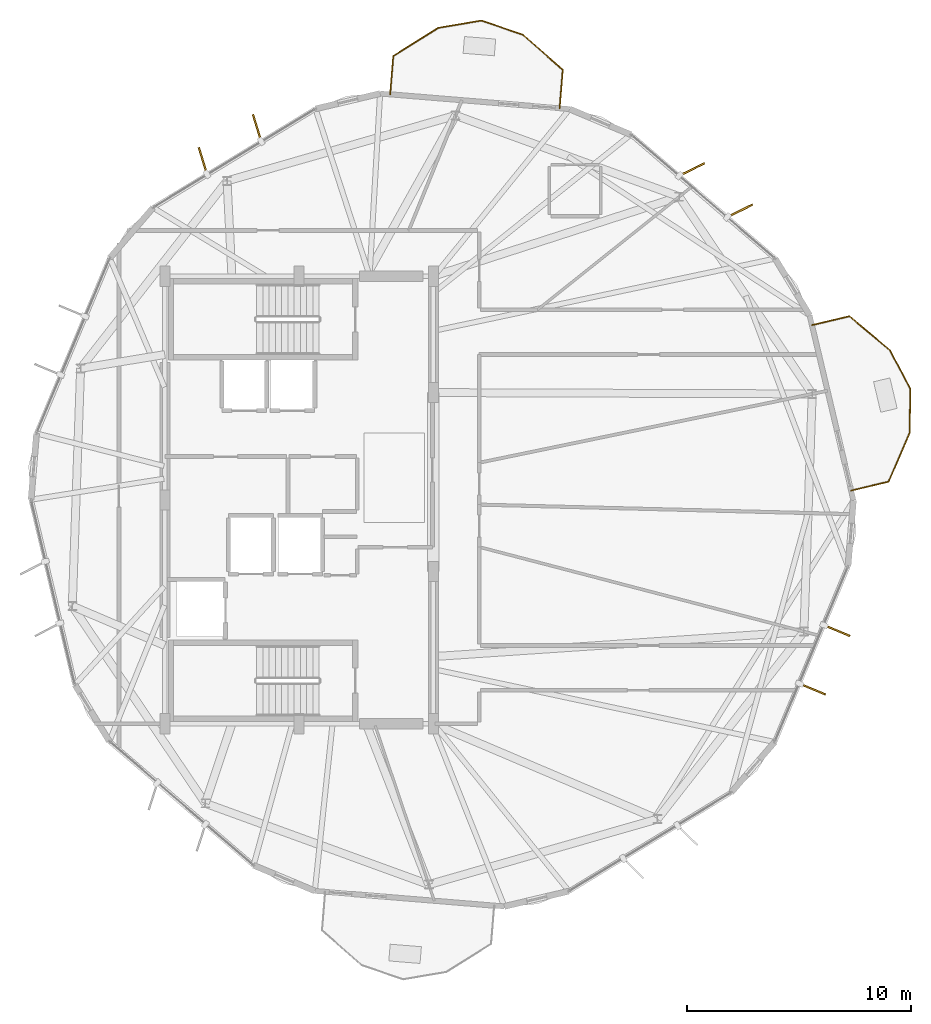
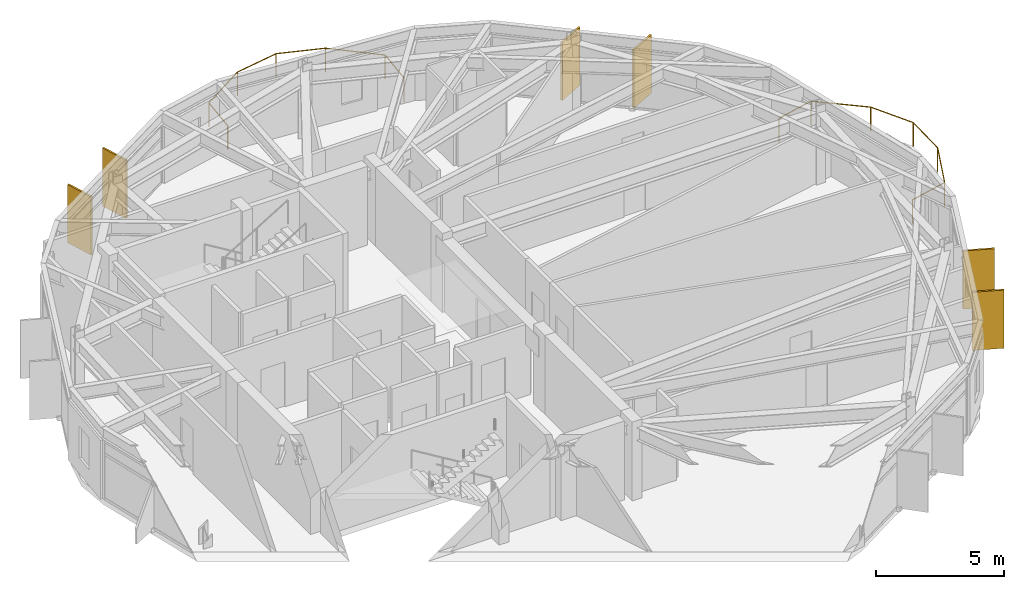
# One storey, part 23 of 23: 6 shading devices, 2 railings.
"""IFC4 building model written with IfcOpenShell, lengths in metres."""

from ifc_helpers import new_model, si_unit, direction, frame, origin, origin_2d, place, context, subcontext, project, spatial, rectangle, circle, extrude, material, layer, layer_set, type_object, element, save


model = new_model("IFC4")

# Units and contexts
model_context = context("Model", 3, precision=1e-05, world=origin(), true_north=direction((0.0, 1.0)))
body_context = subcontext(model_context, "Body", "Model", "MODEL_VIEW")
ifc_project = project(units=[si_unit("LENGTHUNIT", "METRE"), si_unit("AREAUNIT", "SQUARE_METRE"), si_unit("VOLUMEUNIT", "CUBIC_METRE"), si_unit("PLANEANGLEUNIT", "RADIAN"), si_unit("MASSUNIT", "GRAM", prefix="KILO")], contexts=[model_context])

# Site, building, storey
site_placement = place(None, origin())
site = spatial("IfcSite", under=ifc_project, at=site_placement, CompositionType="ELEMENT")
building_placement = place(site_placement, origin())
building = spatial("IfcBuilding", under=site, at=building_placement, Name="Soratama Intermodal Tower", CompositionType="ELEMENT")
storey_placement = place(building_placement, frame((0.0, 0.0, 280.0)))
storey = spatial("IfcBuildingStorey", under=building, at=storey_placement, Name="L71", CompositionType="ELEMENT", Elevation=280.0)

# Railings
ifc_material_1 = material(Name="Laminated glass and stainless steel balustrade", Category="steel")
railing_type = type_object("IfcRailingType", Name="RL-BAL-1150", PredefinedType="BALUSTRADE", material=ifc_material_1)
railing_1_placement = place(storey_placement, frame((61.5234375, 32.81689453125, 0.0)))
element("IfcRailing", 1, at=railing_1_placement, inside=storey, type_object=railing_type, Name="L71 Balcony Balustrade 1", PredefinedType="BALUSTRADE", context=body_context, shape_type="SweptSolid", body=[
    extrude(circle(Radius=0.02392578125, at=origin_2d()), frame((0.0, 0.0, 1.1259765625), z_axis=(0.973066044109, 0.230526514315, 0.0), x_axis=(-0.230526514315, 0.973066044109, 0.0)), (0.0, 0.0, 1.0), 1.719970703125),
    extrude(circle(Radius=0.02392578125, at=origin_2d()), frame((1.673583984375, 0.396484375, 1.1259765625), z_axis=(0.766037677334, -0.642795672748, 0.0), x_axis=(0.642795672748, 0.766037677334, 0.0)), (0.0, 0.0, 1.0), 2.369140625),
    extrude(circle(Radius=0.02392578125, at=origin_2d()), frame((3.488525390625, -1.12646484375, 1.1259765625), z_axis=(0.463820875597, -0.885929001309, 0.0), x_axis=(0.885929001309, 0.463820875597, 0.0)), (0.0, 0.0, 1.0), 1.960693359375),
    extrude(circle(Radius=0.02392578125, at=origin_2d()), frame((4.39794921875, -2.863525390625, 1.1259765625), z_axis=(-0.017307494366, -0.999850214101, 0.0), x_axis=(0.999850214101, -0.017307494366, 0.0)), (0.0, 0.0, 1.0), 1.960693359375),
    extrude(circle(Radius=0.02392578125, at=origin_2d()), frame((4.364013671875, -4.823974609375, 1.1259765625), z_axis=(-0.396554456356, -0.918011199901, 0.0), x_axis=(0.918011199901, -0.396554456356, 0.0)), (0.0, 0.0, 1.0), 2.369140625),
    extrude(circle(Radius=0.02392578125, at=origin_2d()), frame((3.424560546875, -6.998779296875, 1.1259765625), z_axis=(-0.973066044109, -0.230526514315, 0.0), x_axis=(0.230526514315, -0.973066044109, 0.0)), (0.0, 0.0, 1.0), 1.719970703125),
    extrude(circle(Radius=0.02099609375, at=origin_2d()), origin(), (0.0, 0.0, 1.0), 1.101806640625),
    extrude(circle(Radius=0.02099609375, at=origin_2d()), frame((1.673583984375, 0.396484375, 0.0)), (0.0, 0.0, 1.0), 1.101806640625),
    extrude(circle(Radius=0.02099609375, at=origin_2d()), frame((3.488525390625, -1.12646484375, 0.0)), (0.0, 0.0, 1.0), 1.101806640625),
    extrude(circle(Radius=0.02099609375, at=origin_2d()), frame((4.39794921875, -2.863525390625, 0.0)), (0.0, 0.0, 1.0), 1.101806640625),
    extrude(circle(Radius=0.02099609375, at=origin_2d()), frame((4.364013671875, -4.823974609375, 0.0)), (0.0, 0.0, 1.0), 1.101806640625),
    extrude(circle(Radius=0.02099609375, at=origin_2d()), frame((3.424560546875, -6.998779296875, 0.0)), (0.0, 0.0, 1.0), 1.101806640625),
    extrude(circle(Radius=0.02099609375, at=origin_2d()), frame((1.7509765625, -7.395263671875, 0.0)), (0.0, 0.0, 1.0), 1.101806640625),
])
railing_2_placement = place(storey_placement, frame((42.671630859375, 43.13037109375, 0.0)))
element("IfcRailing", 2, at=railing_2_placement, inside=storey, type_object=railing_type, Name="L71 Balcony Balustrade 2", PredefinedType="BALUSTRADE", context=body_context, shape_type="SweptSolid", body=[
    extrude(circle(Radius=0.02392578125, at=origin_2d()), frame((0.0, 0.0, 1.1259765625), z_axis=(0.081623891435, 0.996663203067, 0.0), x_axis=(-0.996663203067, 0.081623891435, 0.0)), (0.0, 0.0, 1.0), 1.719970703125),
    extrude(circle(Radius=0.02392578125, at=origin_2d()), frame((0.140380859375, 1.714111328125, 1.1259765625), z_axis=(0.848004093319, 0.529989676989, 0.0), x_axis=(-0.529989676989, 0.848004093319, 0.0)), (0.0, 0.0, 1.0), 2.369140625),
    extrude(circle(Radius=0.02392578125, at=origin_2d()), frame((2.1494140625, 2.9697265625, 1.1259765625), z_axis=(0.985898195013, 0.167346195264, 0.0), x_axis=(-0.167346195264, 0.985898195013, 0.0)), (0.0, 0.0, 1.0), 1.960693359375),
    extrude(circle(Radius=0.02392578125, at=origin_2d()), frame((4.08251953125, 3.2978515625, 1.1259765625), z_axis=(0.945563338047, -0.325438125827, 0.0), x_axis=(0.325438125827, 0.945563338047, 0.0)), (0.0, 0.0, 1.0), 1.9609375),
    extrude(circle(Radius=0.02392578125, at=origin_2d()), frame((5.936767578125, 2.65966796875, 1.1259765625), z_axis=(0.750562211064, -0.660799793676, 0.0), x_axis=(0.660799793676, 0.750562211064, 0.0)), (0.0, 0.0, 1.0), 2.368896484375),
    extrude(circle(Radius=0.02392578125, at=origin_2d()), frame((7.71484375, 1.09423828125, 1.1259765625), z_axis=(-0.08161234484, -0.996664148633, 0.0), x_axis=(0.996664148633, -0.08161234484, 0.0)), (0.0, 0.0, 1.0), 1.72021484375),
    extrude(circle(Radius=0.02099609375, at=origin_2d()), origin(), (0.0, 0.0, 1.0), 1.101806640625),
    extrude(circle(Radius=0.02099609375, at=origin_2d()), frame((0.140380859375, 1.714111328125, 0.0)), (0.0, 0.0, 1.0), 1.101806640625),
    extrude(circle(Radius=0.02099609375, at=origin_2d()), frame((2.1494140625, 2.9697265625, 0.0)), (0.0, 0.0, 1.0), 1.101806640625),
    extrude(circle(Radius=0.02099609375, at=origin_2d()), frame((4.08251953125, 3.2978515625, 0.0)), (0.0, 0.0, 1.0), 1.101806640625),
    extrude(circle(Radius=0.02099609375, at=origin_2d()), frame((5.936767578125, 2.65966796875, 0.0)), (0.0, 0.0, 1.0), 1.101806640625),
    extrude(circle(Radius=0.02099609375, at=origin_2d()), frame((7.71484375, 1.09423828125, 0.0)), (0.0, 0.0, 1.0), 1.101806640625),
    extrude(circle(Radius=0.02099609375, at=origin_2d()), frame((7.574462890625, -0.6201171875, 0.0)), (0.0, 0.0, 1.0), 1.101806640625),
])

# Shading devices
ifc_material_2 = material(Name="Champagne anodised aluminium solar fin", Category="aluminium")
ifc_layer = layer(ifc_material_2, 0.080078125)
ifc_layer_set = layer_set([ifc_layer], Name="Champagne anodised aluminium solar fin")
shading_device_type = type_object("IfcShadingDeviceType", Name="SH-FIN-1250", PredefinedType="USERDEFINED", material=ifc_layer_set)
for number, where, z_axis, x_axis, name in (
    (3, (36.72509765625, 41.626953125, 0.02001953125), (0.0, 0.0, 1.0), (-0.295874773066, 0.955226736782, 0.0), "L71 Solar Fin F02-1"),
    (4, (34.3046875, 40.154052734375, 0.02001953125), (0.0, 0.0, 1.0), (-0.295874773066, 0.955226736782, 0.0), "L71 Solar Fin F02-2"),
    (5, (61.546142578125, 16.550048828125, 0.02001953125), (0.0, 0.0, 1.0), (0.92267273987, -0.385583992277, 0.0), "L71 Solar Fin F08-1"),
    (6, (62.638671875, 19.164306640625, 0.02001953125), (0.0, 0.0, 1.0), (0.92267273987, -0.385583992277, 0.0), "L71 Solar Fin F08-2"),
    (7, (58.306396484375, 37.923828125, 0.02001953125), (0.0, 0.0, 1.0), (0.894934361602, 0.44619781311, 0.0), "L71 Solar Fin F10-1"),
    (8, (56.15771484375, 39.7705078125, 0.02001953125), (0.0, 0.0, 1.0), (0.894934361602, 0.44619781311, 0.0), "L71 Solar Fin F10-2"),
):
    element("IfcShadingDevice", number, at=place(storey_placement, frame(where, z_axis=z_axis, x_axis=x_axis)), inside=storey, type_object=shading_device_type, Name=name, ObjectType="FIN", PredefinedType="USERDEFINED", context=body_context, shape_type="SweptSolid", body=[
        extrude(rectangle(XDim=1.25, YDim=0.080078125, at=origin_2d()), origin(), (0.0, 0.0, 1.0), 2.76904296875),
    ])

save(model, "model.ifc")
